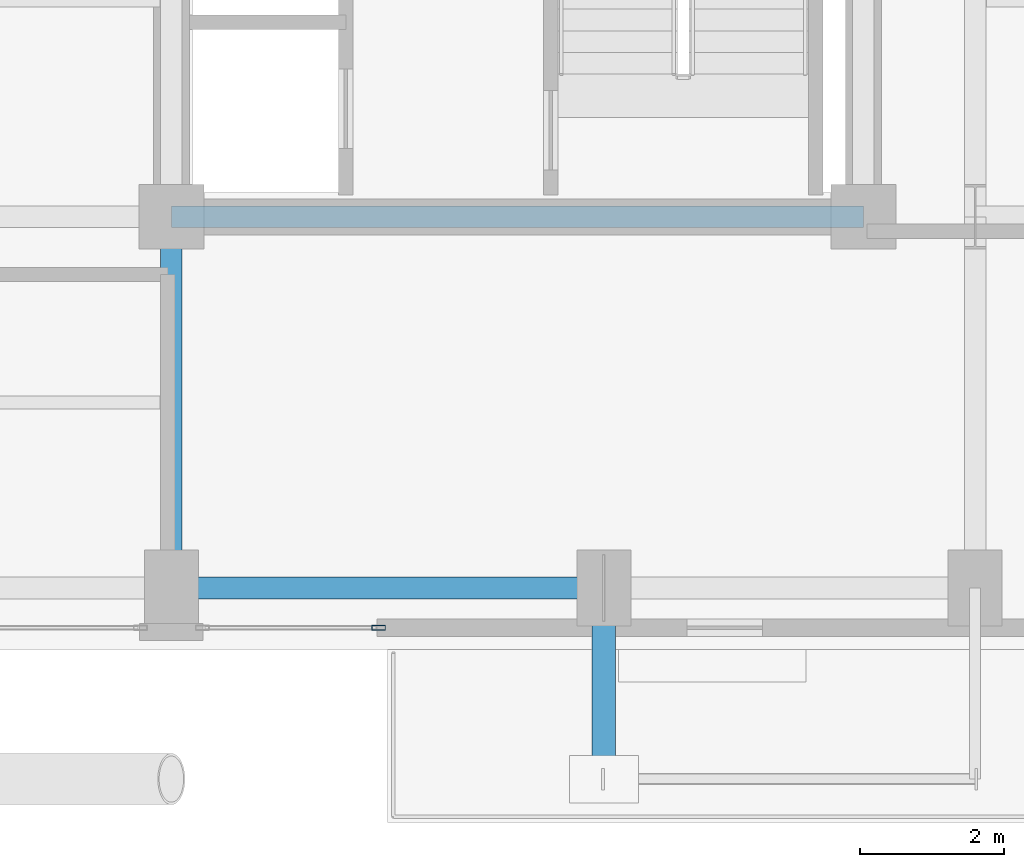
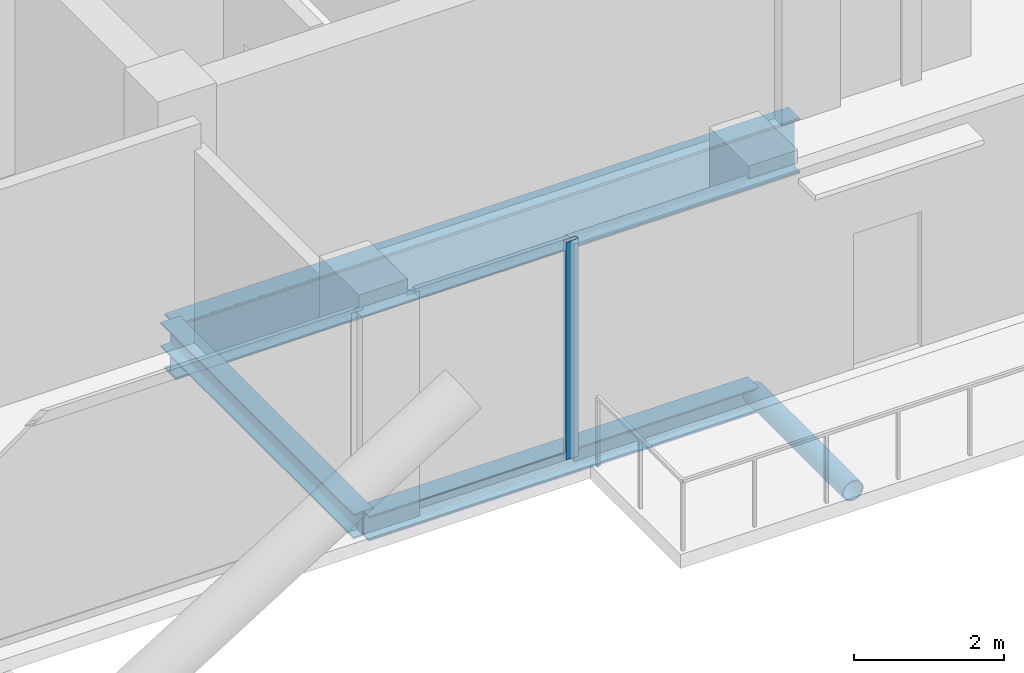
# One storey, part 5 of 25: 3 beams, 2 members, 1 element without a shape of its own.
"""IFC4 building model written with IfcOpenShell, lengths in metres."""

from ifc_helpers import new_model, si_unit, direction, frame, origin, origin_2d, place, context, subcontext, project, spatial, hollow_rectangle, hollow_circle, i_section, extrude, material, layer, layer_set, material_profile, profile_set, type_object, element, aggregate, save


model = new_model("IFC4")

# Units and contexts
model_context = context("Model", 3, precision=1e-05, world=origin(), true_north=direction((0.0, 1.0)))
body_context = subcontext(model_context, "Body", "Model", "MODEL_VIEW")
ifc_project = project(units=[si_unit("LENGTHUNIT", "METRE"), si_unit("AREAUNIT", "SQUARE_METRE"), si_unit("VOLUMEUNIT", "CUBIC_METRE"), si_unit("PLANEANGLEUNIT", "RADIAN"), si_unit("MASSUNIT", "GRAM", prefix="KILO"), si_unit("THERMODYNAMICTEMPERATUREUNIT", "KELVIN"), si_unit("POWERUNIT", "WATT")], contexts=[model_context])

# Site, building, storey
site_placement = place(None, origin())
site = spatial("IfcSite", under=ifc_project, at=site_placement, CompositionType="ELEMENT")
building_placement = place(site_placement, origin())
building = spatial("IfcBuilding", under=site, at=building_placement, Name="Svarakhadi Broadcast Tower", CompositionType="ELEMENT")
storey_placement = place(building_placement, frame((0.0, 0.0, 227.39990234375)))
storey = spatial("IfcBuildingStorey", under=building, at=storey_placement, Name="L56", CompositionType="ELEMENT", Elevation=227.39990234375)

# Curtain wall, member
ifc_material_1 = material(Name="Anodised Bronze Aluminium AA 6063-T6", Category="aluminium")
ifc_layer = layer(ifc_material_1, 0.18994140625)
ifc_layer_set = layer_set([ifc_layer], Name="Anodised Bronze Aluminium AA 6063-T6")
curtain_wall_type = type_object("IfcCurtainWallType", Name="CW_Sys_04", PredefinedType="NOTDEFINED", material=ifc_layer_set)
curtain_wall_placement = place(storey_placement, origin())
curtain_wall = element("IfcCurtainWall", 1, at=curtain_wall_placement, inside=storey, type_object=curtain_wall_type, Name="L56 South Curtain Wall 17 Bay 1", PredefinedType="NOTDEFINED")
ifc_material_profile_1 = material_profile(ifc_material_1, hollow_rectangle(XDim=0.070068359375, YDim=0.18994140625, WallThickness=0.005615234375, at=origin_2d()), Name="ALU MULLION 190x70x6")
ifc_profile_set_1 = profile_set([ifc_material_profile_1], Name="Anodised Bronze Aluminium AA 6063-T6")
member_type_1 = type_object("IfcMemberType", Name="CW_Sys_04_Mul", PredefinedType="MULLION", material=ifc_profile_set_1)
member_1_placement = place(storey_placement, frame((26.875, 0.300048828125, 0.0), z_axis=(0.0, 0.0, 1.0), x_axis=(0.0, -1.0, 0.0)))
member_1 = element("IfcMember", 2, at=member_1_placement, type_object=member_type_1, Name="CW-04 mullion 1", PredefinedType="MULLION", context=body_context, shape_type="SweptSolid", body=[
    extrude(hollow_rectangle(XDim=0.070068359375, YDim=0.18994140625, WallThickness=0.005615234375, at=origin_2d()), origin(), (0.0, 0.0, 1.0), 3.5400390625),
])
aggregate(curtain_wall, [member_1])

# Member
ifc_material_2 = material(Name="Steel S460ML (IS 2062 E450BR)", Category="steel")
ifc_material_profile_2 = material_profile(ifc_material_2, hollow_circle(Radius=0.161865234375, WallThickness=0.01611328125, at=origin_2d()), Name="CHS 323.9x16")
ifc_profile_set_2 = profile_set([ifc_material_profile_2], Name="Steel S460ML (IS 2062 E450BR)")
member_type_2 = type_object("IfcMemberType", Name="Exo_Radial_Strut_Z2", PredefinedType="STRUT", material=ifc_profile_set_2)
member_2_placement = place(storey_placement, frame((30.0, -1.800048828125, -0.371826171875), z_axis=(0.0, 1.0, 0.0), x_axis=(-1.0, 0.0, 0.0)))
element("IfcMember", 3, at=member_2_placement, inside=storey, type_object=member_type_2, Name="L56 Exoskeleton Radial Tie Strut S03", PredefinedType="STRUT", context=body_context, shape_type="SweptSolid", body=[
    extrude(hollow_circle(Radius=0.161865234375, WallThickness=0.01611328125, at=origin_2d()), origin(), (0.0, 0.0, 1.0), 2.650146484375),
])

# Beams
ifc_material_3 = material(Name="Steel S355J2 (IS 2062 E350C)", Category="steel")
ifc_material_profile_3 = material_profile(ifc_material_3, i_section(OverallWidth=0.300048828125, OverallDepth=0.39990234375, WebThickness=0.013427734375, FlangeThickness=0.02392578125, FilletRadius=0.027099609375, at=origin_2d()), Name="WPB 400x300x155")
ifc_profile_set_3 = profile_set([ifc_material_profile_3], Name="Steel S355J2 (IS 2062 E350C)")
beam_type_1 = type_object("IfcBeamType", Name="Girder_WPB400", PredefinedType="USERDEFINED", material=ifc_profile_set_3)
beam_1_placement = place(storey_placement, frame((24.0, 0.85009765625, -0.409912109375), z_axis=(1.0, 0.0, 0.0), x_axis=(0.0, 1.0, 0.0)))
element("IfcBeam", 4, at=beam_1_placement, inside=storey, type_object=beam_type_1, Name="L56 Primary E-W Girder G007", ObjectType="GIRDER", PredefinedType="USERDEFINED", context=body_context, shape_type="SweptSolid", body=[
    extrude(i_section(OverallWidth=0.300048828125, OverallDepth=0.39990234375, WebThickness=0.013427734375, FlangeThickness=0.02392578125, FilletRadius=0.027099609375, at=origin_2d()), origin(), (0.0, 0.0, 1.0), 6.0),
])
beam_2_placement = place(storey_placement, frame((24.0, 0.85009765625, -0.409912109375), z_axis=(0.0, 1.0, 0.0), x_axis=(-1.0, 0.0, 0.0)))
element("IfcBeam", 5, at=beam_2_placement, inside=storey, type_object=beam_type_1, Name="L56 Primary N-S Girder G051", ObjectType="GIRDER", PredefinedType="USERDEFINED", context=body_context, shape_type="SweptSolid", body=[
    extrude(i_section(OverallWidth=0.300048828125, OverallDepth=0.39990234375, WebThickness=0.013427734375, FlangeThickness=0.02392578125, FilletRadius=0.027099609375, at=origin_2d()), origin(), (0.0, 0.0, 1.0), 5.14990234375),
])
ifc_material_profile_4 = material_profile(ifc_material_2, i_section(OverallWidth=0.300048828125, OverallDepth=0.89990234375, WebThickness=0.0185546875, FlangeThickness=0.034912109375, FilletRadius=0.030029296875, at=origin_2d()), Name="WPB 900x300x291")
ifc_profile_set_4 = profile_set([ifc_material_profile_4], Name="Steel S460ML (IS 2062 E450BR)")
beam_type_2 = type_object("IfcBeamType", Name="Girder_WPB900", PredefinedType="USERDEFINED", material=ifc_profile_set_4)
beam_3_placement = place(storey_placement, frame((24.0, 6.0, -0.659912109375), z_axis=(1.0, 0.0, 0.0), x_axis=(0.0, 1.0, 0.0)))
element("IfcBeam", 6, at=beam_3_placement, inside=storey, type_object=beam_type_2, Name="L56 Primary E-W Girder G013", ObjectType="GIRDER", PredefinedType="USERDEFINED", context=body_context, shape_type="SweptSolid", body=[
    extrude(i_section(OverallWidth=0.300048828125, OverallDepth=0.89990234375, WebThickness=0.0185546875, FlangeThickness=0.034912109375, FilletRadius=0.030029296875, at=origin_2d()), origin(), (0.0, 0.0, 1.0), 9.60009765625),
])

save(model, "model.ifc")
